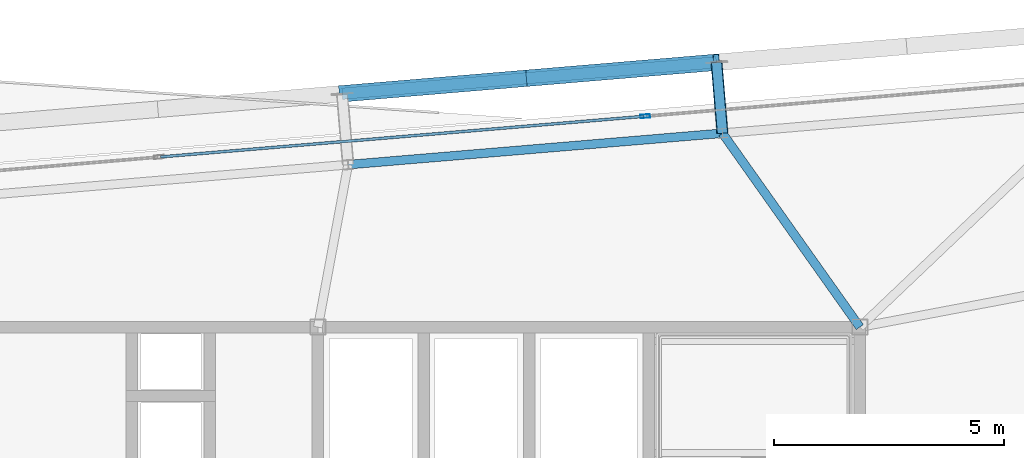
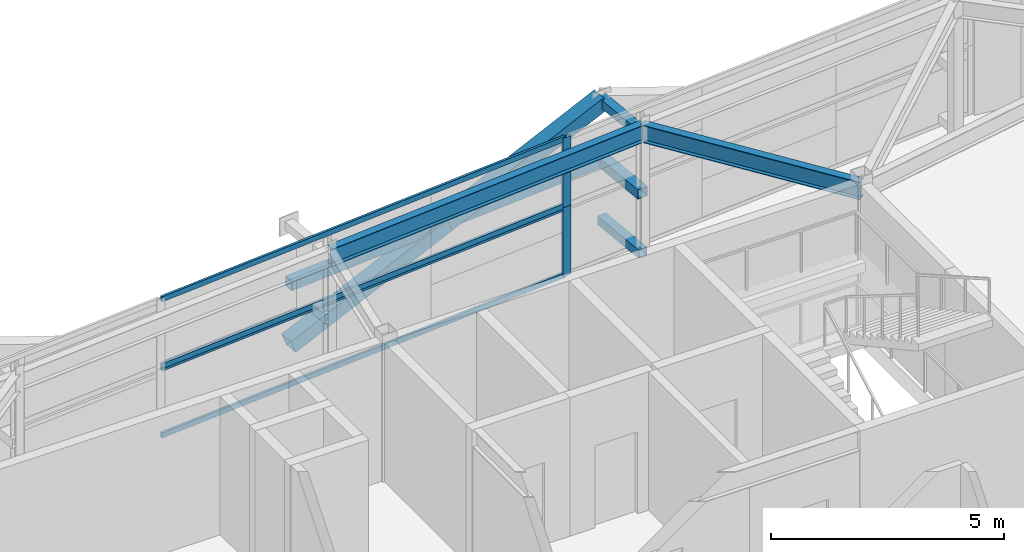
# One storey, part 21 of 38: 12 members, 2 beams, 2 elements without a shape of their own.
"""IFC4 building model written with IfcOpenShell, lengths in metres."""

from ifc_helpers import new_model, si_unit, direction, frame, origin, origin_2d, place, context, subcontext, project, spatial, hollow_rectangle, i_section, extrude, source, transform, mapped, material, layer, layer_set, material_profile, profile_set, type_object, element, aggregate, save


model = new_model("IFC4")

# Units and contexts
model_context = context("Model", 3, precision=1e-05, world=origin(), true_north=direction((0.0, 1.0)))
body_context = subcontext(model_context, "Body", "Model", "MODEL_VIEW")
ifc_project = project(units=[si_unit("LENGTHUNIT", "METRE"), si_unit("AREAUNIT", "SQUARE_METRE"), si_unit("VOLUMEUNIT", "CUBIC_METRE"), si_unit("PLANEANGLEUNIT", "RADIAN"), si_unit("MASSUNIT", "GRAM", prefix="KILO")], contexts=[model_context])

# Site, building, storey
site_placement = place(None, origin())
site = spatial("IfcSite", under=ifc_project, at=site_placement, CompositionType="ELEMENT")
building_placement = place(site_placement, origin())
building = spatial("IfcBuilding", under=site, at=building_placement, Name="Taldren Reach Tower", CompositionType="ELEMENT")
storey_placement = place(building_placement, frame((0.0, 0.0, 168.699951171875)))
storey = spatial("IfcBuildingStorey", under=building, at=storey_placement, Name="L51", CompositionType="ELEMENT", Elevation=168.699951171875)

# Member
ifc_material_1 = material(Name="Steel Gr 350 (C350L0)", Category="steel")
ifc_material_profile_1 = material_profile(ifc_material_1, hollow_rectangle(XDim=0.25, YDim=0.25, WallThickness=0.010009765625, at=origin_2d()), Name="250x250x10.0SHS")
ifc_profile_set_1 = profile_set([ifc_material_profile_1], Name="Steel Gr 350 (C350L0)")
member_type_1 = type_object("IfcMemberType", Name="MB-POST250", PredefinedType="POST", material=ifc_profile_set_1)
shared_shape_1 = source(origin(), body_context, "Body", "SweptSolid", [
    extrude(hollow_rectangle(XDim=0.25, YDim=0.25, WallThickness=0.010009765625, at=origin_2d()), origin(), (0.0, 0.0, 1.0), 1.550048828125),
])
member_1_placement = place(storey_placement, frame((48.009033203125, 36.221435546875, 1.78515625), z_axis=(-0.083632013783, 0.996496706603, 0.0), x_axis=(-0.996496706603, -0.083632013783, 0.0)))
element("IfcMember", 1, at=member_1_placement, inside=storey, type_object=member_type_1, Name="Exoskeleton mid-tier diaphragm tie B4-N5 L51", PredefinedType="POST", context=body_context, shape_type="MappedRepresentation", body=[
    mapped(shared_shape_1, transform((0.0, 0.0, 0.0), scale=1.0)),
])

# Beams
ifc_material_2 = material(Name="Steel Gr 350 (350PLUS)", Category="steel")
ifc_material_profile_2 = material_profile(ifc_material_2, i_section(OverallWidth=0.18994140625, OverallDepth=0.4541015625, WebThickness=0.008544921875, FlangeThickness=0.0126953125, at=origin_2d()), Name="460UB67.1")
ifc_profile_set_2 = profile_set([ifc_material_profile_2], Name="Steel Gr 350 (350PLUS)")
beam_type_1 = type_object("IfcBeamType", Name="SP-UB460B", PredefinedType="SPANDREL", material=ifc_profile_set_2)
shared_shape_2 = source(origin(), body_context, "Body", "SweptSolid", [
    extrude(i_section(OverallWidth=0.18994140625, OverallDepth=0.4541015625, WebThickness=0.008544921875, FlangeThickness=0.0126953125, at=origin_2d()), origin(), (0.0, 0.0, 1.0), 8.179931640625),
])
beam_1_placement = place(storey_placement, frame((48.009033203125, 36.221435546875, 3.403076171875), z_axis=(-0.996494523218, -0.083658025296, 0.0), x_axis=(0.083658025296, -0.996494523218, 0.0)))
element("IfcBeam", 2, at=beam_1_placement, inside=storey, type_object=beam_type_1, Name="Perimeter spandrel B4 N5-N4 L51", PredefinedType="SPANDREL", context=body_context, shape_type="MappedRepresentation", body=[
    mapped(shared_shape_2, transform((0.0, 0.0, 0.0), scale=1.0)),
])
ifc_material_profile_3 = material_profile(ifc_material_2, i_section(OverallWidth=0.19091796875, OverallDepth=0.4599609375, WebThickness=0.010009765625, FlangeThickness=0.01611328125, at=origin_2d()), Name="460UB82.1")
ifc_profile_set_3 = profile_set([ifc_material_profile_3], Name="Steel Gr 350 (350PLUS)")
beam_type_2 = type_object("IfcBeamType", Name="BM-UB460A", PredefinedType="BEAM", material=ifc_profile_set_3)
shared_shape_3 = source(origin(), body_context, "Body", "SweptSolid", [
    extrude(i_section(OverallWidth=0.19091796875, OverallDepth=0.4599609375, WebThickness=0.010009765625, FlangeThickness=0.01611328125, at=origin_2d()), origin(), (0.0, 0.0, 1.0), 5.173583984375),
])
beam_2_placement = place(storey_placement, frame((51.0, 32.0, 3.400146484375), z_axis=(-0.578118152709, 0.8159530633, 0.0), x_axis=(-0.8159530633, -0.578118152709, 0.0)))
element("IfcBeam", 3, at=beam_2_placement, inside=storey, type_object=beam_type_2, Name="Primary floor girder B4-N5 L51", PredefinedType="BEAM", context=body_context, shape_type="MappedRepresentation", body=[
    mapped(shared_shape_3, transform((0.0, 0.0, 0.0), scale=1.0)),
])

# Members
ifc_material_3 = material(Name="Steel Gr 450 (C450L0)", Category="steel")
ifc_material_profile_4 = material_profile(ifc_material_3, hollow_rectangle(XDim=0.219970703125, YDim=0.219970703125, WallThickness=0.00830078125, at=origin_2d()), Name="220x220x8.2SHS")
ifc_profile_set_4 = profile_set([ifc_material_profile_4], Name="Steel Gr 450 (C450L0)")
member_type_2 = type_object("IfcMemberType", Name="MB-TIE219", PredefinedType="STRUT", material=ifc_profile_set_4)
shared_shape_4 = source(origin(), body_context, "Body", "SweptSolid", [
    extrude(hollow_rectangle(XDim=0.219970703125, YDim=0.219970703125, WallThickness=0.00830078125, at=origin_2d()), origin(), (0.0, 0.0, 1.0), 1.550048828125),
])
for number, where, z_axis, x_axis, name in (
    (4, (48.009033203125, 36.221435546875, 3.35009765625), (-0.083632013783, 0.996496706603, 0.0), (-0.996496706603, -0.083632013783, 0.0), "Exoskeleton diaphragm tie strut B4-N5 L51"),
    (5, (48.009033203125, 36.221435546875, 0.219970703125), (-0.083632013783, 0.996496706603, 0.0), (-0.996496706603, -0.083632013783, 0.0), "Exoskeleton base diaphragm tie strut B4-N5 L51"),
):
    element("IfcMember", number, at=place(storey_placement, frame(where, z_axis=z_axis, x_axis=x_axis)), inside=storey, type_object=member_type_2, Name=name, PredefinedType="STRUT", context=body_context, shape_type="MappedRepresentation", body=[
        mapped(shared_shape_4, transform((0.0, 0.0, 0.0), scale=1.0)),
    ])
ifc_material_profile_5 = material_profile(ifc_material_3, hollow_rectangle(XDim=0.360107421875, YDim=0.360107421875, WallThickness=0.0126953125, at=origin_2d()), Name="360x360x12.7SHS")
ifc_profile_set_5 = profile_set([ifc_material_profile_5], Name="Steel Gr 450 (C450L0)")
member_type_3 = type_object("IfcMemberType", Name="MB-EXO356", PredefinedType="BRACE", material=ifc_profile_set_5)
shared_shape_5 = source(origin(), body_context, "Body", "SweptSolid", [
    extrude(hollow_rectangle(XDim=0.360107421875, YDim=0.360107421875, WallThickness=0.0126953125, at=origin_2d()), origin(), (0.0, 0.0, 1.0), 4.379150390625),
])
member_2_placement = place(storey_placement, frame((43.8037109375, 37.423828125, 1.78515625), z_axis=(0.930691240049, 0.078161562151, 0.357357784157), x_axis=(-0.083687662192, 0.996492034688, 0.0)))
element("IfcMember", 6, at=member_2_placement, inside=storey, type_object=member_type_3, Name="Exoskeleton Diagrid Brace B4-N4 L51", PredefinedType="BRACE", context=body_context, shape_type="MappedRepresentation", body=[
    mapped(shared_shape_5, transform((0.0, 0.0, 0.0), scale=1.0)),
])
shared_shape_6 = source(origin(), body_context, "Body", "SweptSolid", [
    extrude(hollow_rectangle(XDim=0.360107421875, YDim=0.360107421875, WallThickness=0.0126953125, at=origin_2d()), origin(), (0.0, 0.0, 1.0), 4.37939453125),
])
member_3_placement = place(storey_placement, frame((39.72802734375, 37.08154296875, 0.219970703125), z_axis=(0.930672697263, 0.078160004886, 0.357406413212), x_axis=(-0.083687662192, 0.996492034688, 0.0)))
element("IfcMember", 7, at=member_3_placement, inside=storey, type_object=member_type_3, Name="Exoskeleton Diagrid Brace B4-N4 L51", PredefinedType="BRACE", context=body_context, shape_type="MappedRepresentation", body=[
    mapped(shared_shape_6, transform((0.0, 0.0, 0.0), scale=1.0)),
])
shared_shape_7 = source(origin(), body_context, "Body", "SweptSolid", [
    extrude(hollow_rectangle(XDim=0.25, YDim=0.25, WallThickness=0.010009765625, at=origin_2d()), origin(), (0.0, 0.0, 1.0), 8.18017578125),
])
member_4_placement = place(storey_placement, frame((39.72802734375, 37.08154296875, 1.78515625), z_axis=(0.996492034688, 0.083687662192, 0.0), x_axis=(-0.083687662192, 0.996492034688, 0.0)))
element("IfcMember", 8, at=member_4_placement, inside=storey, type_object=member_type_1, Name="Exoskeleton mid-height ring chord B4-N4 L51", PredefinedType="POST", context=body_context, shape_type="MappedRepresentation", body=[
    mapped(shared_shape_7, transform((0.0, 0.0, 0.0), scale=1.0)),
])

# Curtain wall, member
ifc_material_4 = material(Name="Aluminium and Low-E Glass Unitised System", Category="aluminium")
ifc_layer = layer(ifc_material_4, 0.159912109375)
ifc_layer_set = layer_set([ifc_layer], Name="Aluminium and Low-E Glass Unitised System")
curtain_wall_type = type_object("IfcCurtainWallType", Name="CW-SYS-7", PredefinedType="NOTDEFINED", material=ifc_layer_set)
curtain_wall_1_placement = place(storey_placement, origin())
curtain_wall_1 = element("IfcCurtainWall", 9, at=curtain_wall_1_placement, inside=storey, type_object=curtain_wall_type, Name="Unitised curtain wall CW-L51-N", PredefinedType="NOTDEFINED")
ifc_material_5 = material(Name="Anodised Aluminium 6063-T6", Category="aluminium")
ifc_material_profile_6 = material_profile(ifc_material_5, hollow_rectangle(XDim=0.074951171875, YDim=0.2099609375, WallThickness=0.00439453125, at=origin_2d()), Name="ALU-210x75x4.5RHS")
ifc_profile_set_6 = profile_set([ifc_material_profile_6], Name="Anodised Aluminium 6063-T6")
member_type_4 = type_object("IfcMemberType", Name="CW-MUL-200", PredefinedType="MULLION", material=ifc_profile_set_6)
shared_shape_8 = source(origin(), body_context, "Body", "SweptSolid", [
    extrude(hollow_rectangle(XDim=0.074951171875, YDim=0.2099609375, WallThickness=0.00439453125, at=origin_2d()), origin(), (0.0, 0.0, 1.0), 1.81494140625),
])
member_5_placement = place(storey_placement, frame((46.3271484375, 36.592041015625, 0.0), z_axis=(0.0, 0.0, 1.0), x_axis=(0.083677875247, -0.99649285657, 0.0)))
member_5 = element("IfcMember", 10, at=member_5_placement, type_object=member_type_4, Name="CW-7 mullion 2", PredefinedType="MULLION", context=body_context, shape_type="MappedRepresentation", body=[
    mapped(shared_shape_8, transform((0.0, 0.0, 0.0), scale=1.0)),
])

curtain_wall_2_placement = place(storey_placement, origin())
curtain_wall_2 = element("IfcCurtainWall", 11, at=curtain_wall_2_placement, inside=storey, type_object=curtain_wall_type, Name="Unitised curtain wall CW-L51-N-T2", PredefinedType="NOTDEFINED")
shared_shape_9 = source(origin(), body_context, "Body", "SweptSolid", [
    extrude(hollow_rectangle(XDim=0.074951171875, YDim=0.2099609375, WallThickness=0.00439453125, at=origin_2d()), origin(), (0.0, 0.0, 1.0), 1.815185546875),
])
member_6_placement = place(storey_placement, frame((46.3271484375, 36.592041015625, 1.81494140625), z_axis=(0.0, 0.0, 1.0), x_axis=(0.083677875247, -0.99649285657, 0.0)))
member_6 = element("IfcMember", 12, at=member_6_placement, type_object=member_type_4, Name="CW-7 mullion 2", PredefinedType="MULLION", context=body_context, shape_type="MappedRepresentation", body=[
    mapped(shared_shape_9, transform((0.0, 0.0, 0.0), scale=1.0)),
])

# Member
ifc_material_profile_7 = material_profile(ifc_material_5, hollow_rectangle(XDim=0.06005859375, YDim=0.135009765625, WallThickness=0.00341796875, at=origin_2d()), Name="ALU-135x60x3.5RHS")
ifc_profile_set_7 = profile_set([ifc_material_profile_7], Name="Anodised Aluminium 6063-T6")
member_type_5 = type_object("IfcMemberType", Name="CW-TRN-150", PredefinedType="USERDEFINED", material=ifc_profile_set_7)
shared_shape_10 = source(origin(), body_context, "Body", "SweptSolid", [
    extrude(hollow_rectangle(XDim=0.06005859375, YDim=0.135009765625, WallThickness=0.00341796875, at=origin_2d()), origin(), (0.0, 0.0, 1.0), 10.550048828125),
])
member_7_placement = place(storey_placement, frame((46.289794921875, 36.5888671875, 0.030029296875), z_axis=(-0.996492730346, -0.083679378392, 0.0), x_axis=(0.083679378392, -0.996492730346, 0.0)))
member_7 = element("IfcMember", 13, at=member_7_placement, type_object=member_type_5, Name="CW-7 transom 2.1", ObjectType="TRANSOM", PredefinedType="USERDEFINED", context=body_context, shape_type="MappedRepresentation", body=[
    mapped(shared_shape_10, transform((0.0, 0.0, 0.0), scale=1.0)),
])

member_8_placement = place(storey_placement, frame((46.289794921875, 36.5888671875, 1.78515625), z_axis=(-0.996492730346, -0.083679378392, 0.0), x_axis=(0.083679378392, -0.996492730346, 0.0)))
member_8 = element("IfcMember", 14, at=member_8_placement, type_object=member_type_5, Name="CW-7 transom 2.2", ObjectType="TRANSOM", PredefinedType="USERDEFINED", context=body_context, shape_type="MappedRepresentation", body=[
    mapped(shared_shape_10, transform((0.0, 0.0, 0.0), scale=1.0)),
])

aggregate(curtain_wall_1, [member_5, member_7, member_8])

member_9_placement = place(storey_placement, frame((46.289794921875, 36.5888671875, 1.844970703125), z_axis=(-0.996492730346, -0.083679378392, 0.0), x_axis=(0.083679378392, -0.996492730346, 0.0)))
member_9 = element("IfcMember", 15, at=member_9_placement, type_object=member_type_5, Name="CW-7 transom 2.1", ObjectType="TRANSOM", PredefinedType="USERDEFINED", context=body_context, shape_type="MappedRepresentation", body=[
    mapped(shared_shape_10, transform((0.0, 0.0, 0.0), scale=1.0)),
])

member_10_placement = place(storey_placement, frame((46.289794921875, 36.5888671875, 3.60009765625), z_axis=(-0.996492730346, -0.083679378392, 0.0), x_axis=(0.083679378392, -0.996492730346, 0.0)))
member_10 = element("IfcMember", 16, at=member_10_placement, type_object=member_type_5, Name="CW-7 transom 2.2", ObjectType="TRANSOM", PredefinedType="USERDEFINED", context=body_context, shape_type="MappedRepresentation", body=[
    mapped(shared_shape_10, transform((0.0, 0.0, 0.0), scale=1.0)),
])

aggregate(curtain_wall_2, [member_6, member_9, member_10])

save(model, "model.ifc")
